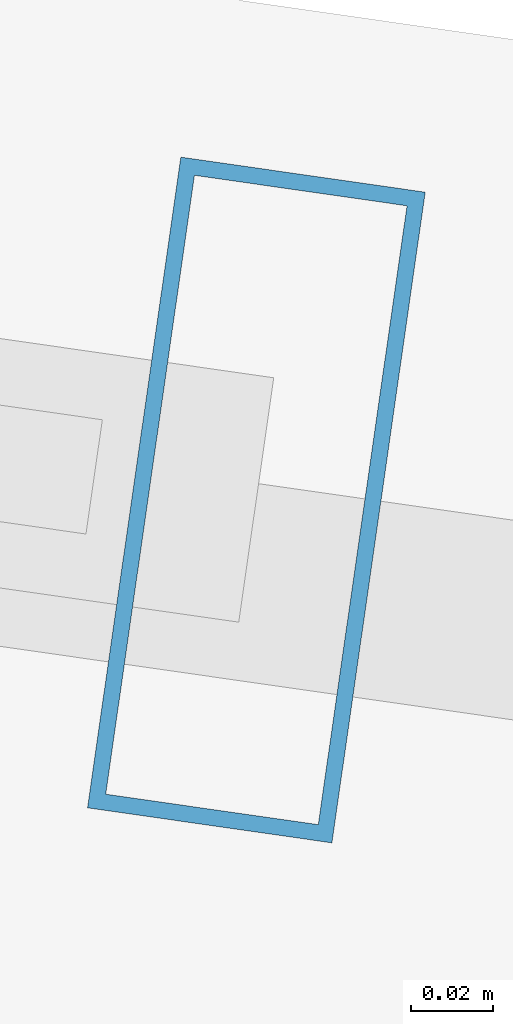
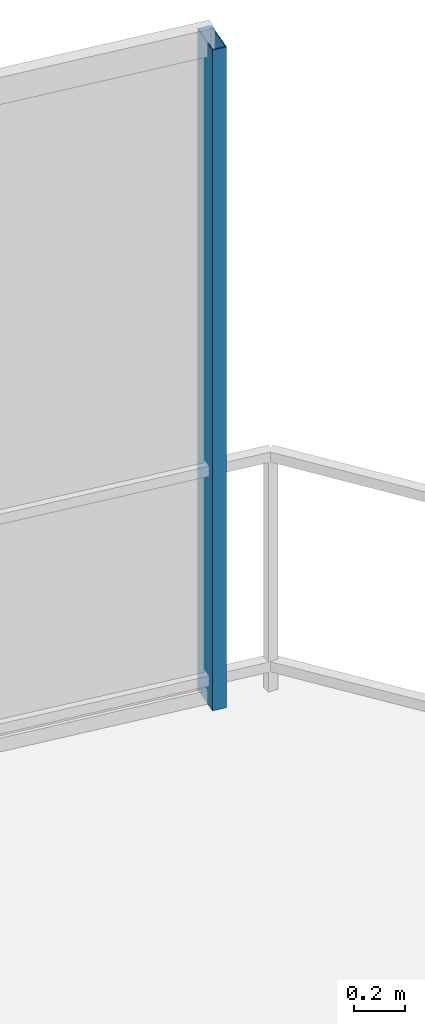
# One storey, part 24 of 32: 1 member, 1 element without a shape of its own.
"""IFC4 building model written with IfcOpenShell, lengths in metres."""

from ifc_helpers import new_model, si_unit, direction, frame, origin, origin_2d, place, context, subcontext, project, spatial, hollow_rectangle, extrude, material, layer, layer_set, material_profile, profile_set, type_object, element, aggregate, save


model = new_model("IFC4")

# Units and contexts
model_context = context("Model", 3, precision=1e-05, world=origin(), true_north=direction((0.0, 1.0)))
body_context = subcontext(model_context, "Body", "Model", "MODEL_VIEW")
ifc_project = project(units=[si_unit("LENGTHUNIT", "METRE"), si_unit("AREAUNIT", "SQUARE_METRE"), si_unit("VOLUMEUNIT", "CUBIC_METRE"), si_unit("PLANEANGLEUNIT", "RADIAN"), si_unit("MASSUNIT", "GRAM", prefix="KILO")], contexts=[model_context])

# Site, building, storey
site_placement = place(None, origin())
site = spatial("IfcSite", under=ifc_project, at=site_placement, CompositionType="ELEMENT")
building_placement = place(site_placement, origin())
building = spatial("IfcBuilding", under=site, at=building_placement, Name="Qarnah Convention Tower", CompositionType="ELEMENT")
storey_placement = place(building_placement, frame((0.0, 0.0, 37.35009765625)))
storey = spatial("IfcBuildingStorey", under=building, at=storey_placement, Name="L08", CompositionType="ELEMENT", Elevation=37.35009765625)

# Curtain wall, member
ifc_material_1 = material(Name="Tempered Low-E dark glass", Category="glass")
ifc_layer = layer(ifc_material_1, 0.16796875)
ifc_layer_set = layer_set([ifc_layer], Name="Tempered Low-E dark glass")
curtain_wall_type = type_object("IfcCurtainWallType", Name="CWS-01", PredefinedType="NOTDEFINED", material=ifc_layer_set)
curtain_wall_placement = place(storey_placement, origin())
curtain_wall = element("IfcCurtainWall", 1, at=curtain_wall_placement, inside=storey, type_object=curtain_wall_type, Name="L08 unitised curtain wall CW-L08-F2", PredefinedType="NOTDEFINED")
ifc_material_2 = material(Name="Black anodised aluminium", Category="aluminium")
ifc_material_profile = material_profile(ifc_material_2, hollow_rectangle(XDim=0.06005859375, YDim=0.159912109375, WallThickness=0.00390625, at=origin_2d()), Name="MUL-60X160")
ifc_profile_set = profile_set([ifc_material_profile], Name="Black anodised aluminium")
member_type = type_object("IfcMemberType", Name="MUL-T1", PredefinedType="MULLION", material=ifc_profile_set)
member_placement = place(storey_placement, frame((58.722900390625, 42.322998046875, 0.0), z_axis=(0.0, 0.0, 1.0), x_axis=(0.989875035809, -0.141941584753, 0.0)))
member = element("IfcMember", 2, at=member_placement, type_object=member_type, Name="CW-L08-F2 mullion 6", PredefinedType="MULLION", context=body_context, shape_type="SweptSolid", body=[
    extrude(hollow_rectangle(XDim=0.06005859375, YDim=0.159912109375, WallThickness=0.00390625, at=origin_2d()), origin(), (0.0, 0.0, 1.0), 3.169921875),
])
aggregate(curtain_wall, [member])

save(model, "model.ifc")
